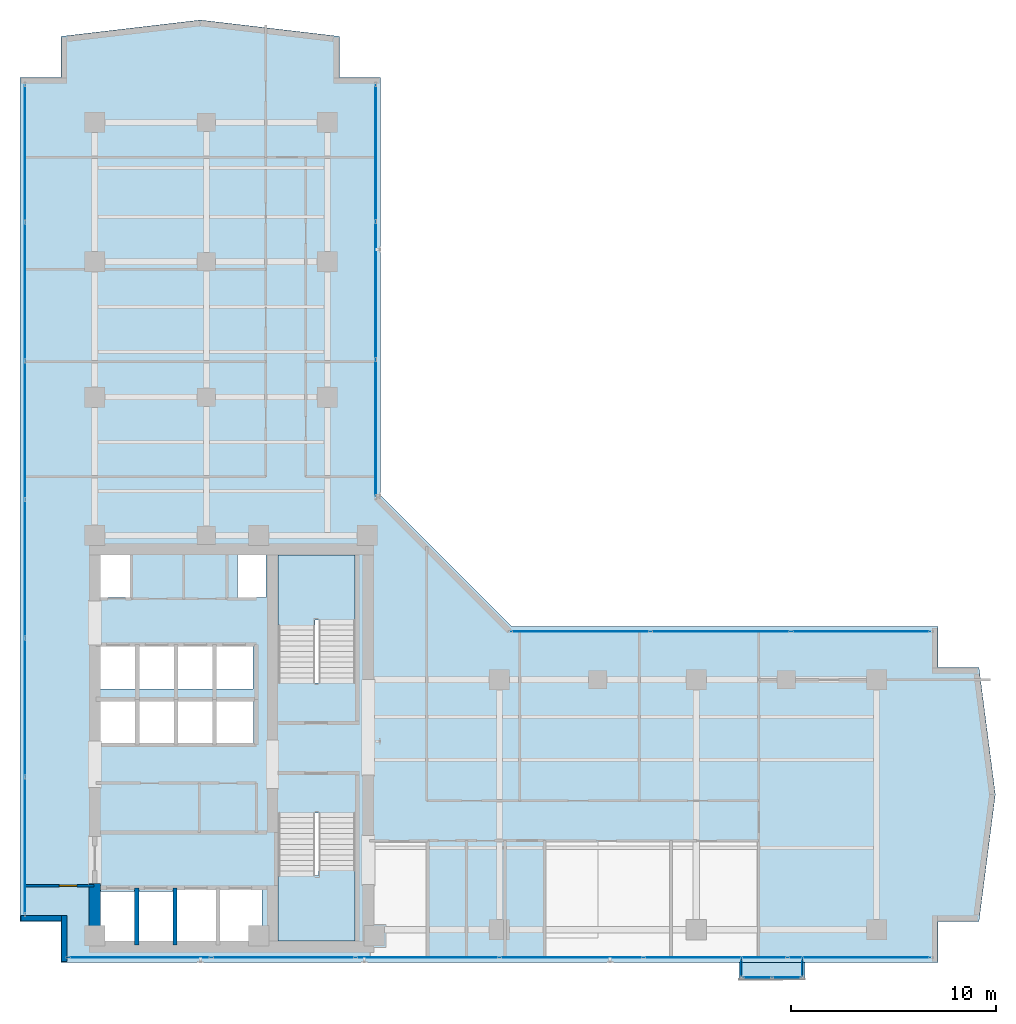
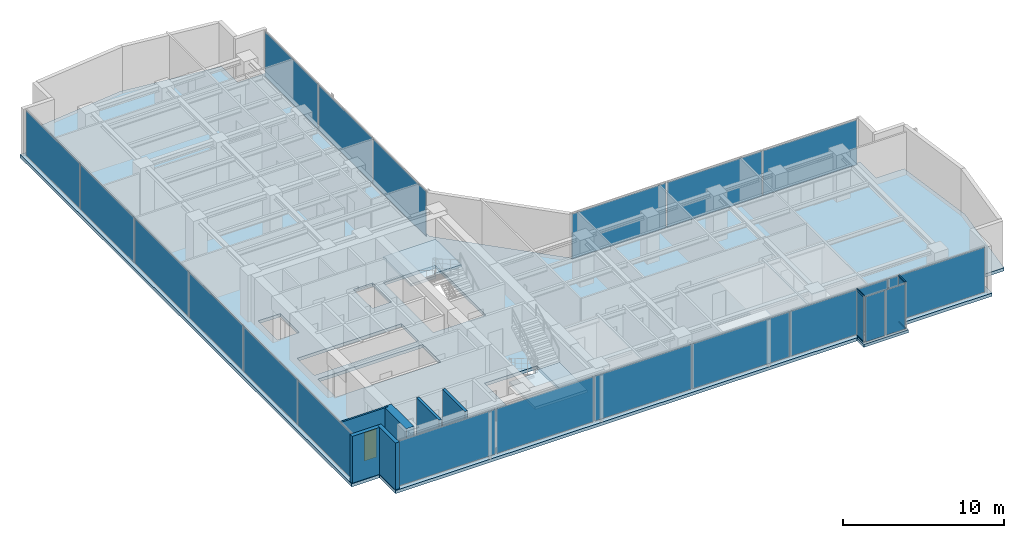
# One storey, part 15 of 23: 22 plates, 6 walls, 4 members, 4 slabs, 1 door, 1 opening, 9 elements without a shape of their own.
"""IFC4 building model written with IfcOpenShell, lengths in metres."""

from ifc_helpers import new_model, si_unit, direction, frame, frame_2d, origin, origin_with_axes, origin_2d, place, context, subcontext, project, spatial, polyline, rectangle, hollow_rectangle, outline, extrude, source, transform, mapped, material, layer, layer_set, material_profile, profile_set, type_object, element, fill, aggregate, save


model = new_model("IFC4")

# Units and contexts
model_context = context("Model", 3, precision=1e-05, world=origin(), true_north=direction((0.0, 1.0)))
body_context = subcontext(model_context, "Body", "Model", "MODEL_VIEW")
ifc_project = project(units=[si_unit("LENGTHUNIT", "METRE"), si_unit("AREAUNIT", "SQUARE_METRE"), si_unit("VOLUMEUNIT", "CUBIC_METRE"), si_unit("PLANEANGLEUNIT", "RADIAN"), si_unit("MASSUNIT", "GRAM", prefix="KILO")], contexts=[model_context])

# Site, building, storey
site_placement = place(None, origin())
site = spatial("IfcSite", under=ifc_project, at=site_placement, CompositionType="ELEMENT")
building_placement = place(site_placement, origin())
building = spatial("IfcBuilding", under=site, at=building_placement, Name="Kolvaren Waterfront Exchange", CompositionType="ELEMENT")
storey_placement = place(building_placement, frame((0.0, 0.0, 227.300048828125)))
storey = spatial("IfcBuildingStorey", under=building, at=storey_placement, Name="L58", CompositionType="ELEMENT", Elevation=227.300048828125)

# Curtain wall, members
ifc_material_1 = material(Name="Anodised bronze aluminium 6063-T6", Category="aluminium")
ifc_layer_1 = layer(ifc_material_1, 0.219970703125, Name="Anodised bronze aluminium 6063-T6")
ifc_layer_set_1 = layer_set([ifc_layer_1], Name="Anodised bronze aluminium 6063-T6")
curtain_wall_type_1 = type_object("IfcCurtainWallType", Name="ARC-CW-SYS3", PredefinedType="USERDEFINED", material=ifc_layer_set_1)
curtain_wall_1_placement = place(storey_placement, origin())
curtain_wall_1 = element("IfcCurtainWall", 1, at=curtain_wall_1_placement, inside=storey, type_object=curtain_wall_type_1, Name="L58 stick curtain wall CW3 (CW-L58-BOX-W)", ObjectType="STICK CURTAIN WALL", PredefinedType="USERDEFINED")
ifc_material_profile = material_profile(ifc_material_1, hollow_rectangle(XDim=0.06494140625, YDim=0.1298828125, WallThickness=0.00390625, at=origin_2d()), Name="ALU-TRN-130x65x4")
ifc_profile_set = profile_set([ifc_material_profile], Name="Anodised bronze aluminium 6063-T6")
member_type = type_object("IfcMemberType", Name="ARC-CWT-130", PredefinedType="USERDEFINED", material=ifc_profile_set)
shared_shape_1 = source(origin_with_axes(), body_context, "Body", "SweptSolid", [
    extrude(hollow_rectangle(XDim=0.06494140625, YDim=0.1298828125, WallThickness=0.00390625, at=origin_2d()), origin(), (0.0, 0.0, 1.0), 0.829833984375),
])
member_1_placement = place(storey_placement, frame((39.010009765625, 3.764892578125, 0.032470703125), z_axis=(0.0, -1.0, 0.0), x_axis=(1.0, 0.0, 0.0)))
member_1 = element("IfcMember", 2, at=member_1_placement, type_object=member_type, Name="CW3 transom 1.1", ObjectType="TRANSOM", PredefinedType="USERDEFINED", context=body_context, shape_type="MappedRepresentation", body=[
    mapped(shared_shape_1, transform((0.0, 0.0, 0.0), x_axis=(1.0, 0.0, 0.0), y_axis=(0.0, 1.0, 0.0), z_axis=(0.0, 0.0, 1.0), scale=1.0)),
])
member_2_placement = place(storey_placement, frame((39.010009765625, 3.764892578125, 3.52734375), z_axis=(0.0, -1.0, 0.0), x_axis=(1.0, 0.0, 0.0)))
member_2 = element("IfcMember", 3, at=member_2_placement, type_object=member_type, Name="CW3 transom 1.2", ObjectType="TRANSOM", PredefinedType="USERDEFINED", context=body_context, shape_type="MappedRepresentation", body=[
    mapped(shared_shape_1, transform((0.0, 0.0, 0.0), x_axis=(1.0, 0.0, 0.0), y_axis=(0.0, 1.0, 0.0), z_axis=(0.0, 0.0, 1.0), scale=1.0)),
])

curtain_wall_2_placement = place(storey_placement, origin())
curtain_wall_2 = element("IfcCurtainWall", 4, at=curtain_wall_2_placement, inside=storey, type_object=curtain_wall_type_1, Name="L58 stick curtain wall CW3 (CW-L58-BOX-E)", ObjectType="STICK CURTAIN WALL", PredefinedType="USERDEFINED")
member_3_placement = place(storey_placement, frame((41.989990234375, 2.93505859375, 0.032470703125), z_axis=(0.0, 1.0, 0.0), x_axis=(-1.0, 0.0, 0.0)))
member_3 = element("IfcMember", 5, at=member_3_placement, type_object=member_type, Name="CW3 transom 1.1", ObjectType="TRANSOM", PredefinedType="USERDEFINED", context=body_context, shape_type="MappedRepresentation", body=[
    mapped(shared_shape_1, transform((0.0, 0.0, 0.0), x_axis=(1.0, 0.0, 0.0), y_axis=(0.0, 1.0, 0.0), z_axis=(0.0, 0.0, 1.0), scale=1.0)),
])
member_4_placement = place(storey_placement, frame((41.989990234375, 2.93505859375, 3.52734375), z_axis=(0.0, 1.0, 0.0), x_axis=(-1.0, 0.0, 0.0)))
member_4 = element("IfcMember", 6, at=member_4_placement, type_object=member_type, Name="CW3 transom 1.2", ObjectType="TRANSOM", PredefinedType="USERDEFINED", context=body_context, shape_type="MappedRepresentation", body=[
    mapped(shared_shape_1, transform((0.0, 0.0, 0.0), x_axis=(1.0, 0.0, 0.0), y_axis=(0.0, 1.0, 0.0), z_axis=(0.0, 0.0, 1.0), scale=1.0)),
])

# Stair, slab
ifc_material_2 = material(Name="Concrete C40/50", Category="concrete")
stair_type = type_object("IfcStairType", Name="ARC-STAIR-3800", PredefinedType="HALF_TURN_STAIR", material=ifc_material_2)
stair_1_placement = place(storey_placement, origin())
stair_1 = element("IfcStair", 7, at=stair_1_placement, inside=storey, type_object=stair_type, Name="L58 Smoke-proof exit stair ST1", PredefinedType="HALF_TURN_STAIR")
ifc_layer_2 = layer(ifc_material_2, 0.199951171875, Name="Concrete C40/50")
ifc_layer_set_2 = layer_set([ifc_layer_2], Name="Concrete C40/50")
slab_type_1 = type_object("IfcSlabType", Name="STR-LANDING-200", PredefinedType="LANDING", material=ifc_layer_set_2)
slab_1_placement = place(storey_placement, frame((0.0, 0.0, 1.77587890625)))
slab_1 = element("IfcSlab", 8, at=slab_1_placement, type_object=slab_type_1, Name="ST1 landing 1", PredefinedType="LANDING", context=body_context, shape_type="SweptSolid", body=[
    extrude(outline(polyline([(16.39990234375, 7.840087890625), (16.39990234375, 4.64990234375), (20.159912109375, 4.64990234375), (20.159912109375, 8.10009765625), (18.360107421875, 8.10009765625), (18.360107421875, 7.840087890625), (16.39990234375, 7.840087890625)])), origin(), (0.0, 0.0, 1.0), 0.199951171875),
])
aggregate(stair_1, [slab_1])

stair_2_placement = place(storey_placement, origin())
stair_2 = element("IfcStair", 9, at=stair_2_placement, inside=storey, type_object=stair_type, Name="L58 Smoke-proof exit stair ST2", PredefinedType="HALF_TURN_STAIR")
slab_2_placement = place(storey_placement, frame((0.0, 0.0, 1.77587890625)))
slab_2 = element("IfcSlab", 10, at=slab_2_placement, type_object=slab_type_1, Name="ST2 landing 1", PredefinedType="LANDING", context=body_context, shape_type="SweptSolid", body=[
    extrude(outline(polyline([(20.159912109375, 20.31005859375), (20.159912109375, 23.5), (16.39990234375, 23.5), (16.39990234375, 20.050048828125), (18.199951171875, 20.050048828125), (18.199951171875, 20.31005859375), (20.159912109375, 20.31005859375)])), origin(), (0.0, 0.0, 1.0), 0.199951171875),
])
aggregate(stair_2, [slab_2])

# Slabs
ifc_layer_3 = layer(ifc_material_2, 0.239990234375, Name="Concrete C40/50")
ifc_layer_set_3 = layer_set([ifc_layer_3], Name="Concrete C40/50")
slab_type_2 = type_object("IfcSlabType", Name="STR-SLAB-240", PredefinedType="FLOOR", material=ifc_layer_set_3)
slab_3_placement = place(storey_placement, frame((0.0, 0.0, -0.239990234375)))
element("IfcSlab", 11, at=slab_3_placement, inside=storey, type_object=slab_type_2, Name="L58 structural floor slab", PredefinedType="FLOOR", context=body_context, shape_type="SweptSolid", body=[
    extrude(outline(polyline([(5.800048828125, 3.60009765625), (48.60009765625, 3.60009765625), (48.60009765625, 5.60009765625), (50.60009765625, 5.60009765625), (51.39990234375, 11.800048828125), (50.60009765625, 18.0), (48.60009765625, 18.0), (48.60009765625, 20.0), (27.800048828125, 20.0), (21.39990234375, 26.39990234375), (21.39990234375, 46.800048828125), (19.39990234375, 46.800048828125), (19.39990234375, 48.800048828125), (12.60009765625, 49.60009765625), (5.800048828125, 48.800048828125), (5.800048828125, 46.800048828125), (3.800048828125, 46.800048828125), (3.800048828125, 5.60009765625), (5.800048828125, 5.60009765625), (5.800048828125, 3.60009765625)]), holes=[polyline([(11.320068359375, 7.260009765625), (15.610107421875, 7.260009765625), (15.610107421875, 4.5400390625), (7.719970703125, 4.5400390625), (7.719970703125, 7.06005859375), (11.320068359375, 7.06005859375), (11.320068359375, 7.260009765625)]), polyline([(20.159912109375, 10.89990234375), (20.159912109375, 4.64990234375), (16.39990234375, 4.64990234375), (16.39990234375, 10.89990234375), (20.159912109375, 10.89990234375)]), polyline([(15.18505859375, 14.239990234375), (7.64501953125, 14.239990234375), (7.64501953125, 16.4599609375), (15.18505859375, 16.4599609375), (15.18505859375, 14.239990234375)]), polyline([(15.159912109375, 16.93994140625), (7.669921875, 16.93994140625), (7.669921875, 19.06005859375), (15.159912109375, 19.06005859375), (15.159912109375, 16.93994140625)]), polyline([(16.39990234375, 17.25), (16.39990234375, 23.5), (20.159912109375, 23.5), (20.159912109375, 17.25), (16.39990234375, 17.25)]), polyline([(7.60009765625, 23.780029296875), (9.179931640625, 23.780029296875), (9.179931640625, 21.419921875), (7.60009765625, 21.419921875), (7.60009765625, 23.780029296875)]), polyline([(14.419921875, 23.780029296875), (15.800048828125, 23.780029296875), (15.800048828125, 21.419921875), (14.419921875, 21.419921875), (14.419921875, 23.780029296875)])]), origin(), (0.0, 0.0, 1.0), 0.239990234375),
])
ifc_layer_4 = layer(ifc_material_2, 0.219970703125, Name="Concrete C40/50")
ifc_layer_set_4 = layer_set([ifc_layer_4], Name="Concrete C40/50")
slab_type_3 = type_object("IfcSlabType", Name="STR-TERR-220", PredefinedType="FLOOR", material=ifc_layer_set_4)
slab_4_placement = place(storey_placement, frame((0.0, 0.0, -0.219970703125)))
element("IfcSlab", 12, at=slab_4_placement, inside=storey, type_object=slab_type_3, Name="L58 projecting bay-box floor strip", PredefinedType="FLOOR", context=body_context, shape_type="SweptSolid", body=[
    extrude(outline(polyline([(38.89990234375, 2.75), (42.10009765625, 2.75), (42.10009765625, 3.60009765625), (38.89990234375, 3.60009765625), (38.89990234375, 2.75)])), origin(), (0.0, 0.0, 1.0), 0.219970703125),
])

# Plate
ifc_material_3 = material(Name="Bronze tinted bay-box vision glass", Category="aluminium")
ifc_layer_5 = layer(ifc_material_3, 0.02392578125, Name="Bronze tinted bay-box vision glass")
ifc_layer_set_5 = layer_set([ifc_layer_5], Name="Bronze tinted bay-box vision glass")
plate_type_1 = type_object("IfcPlateType", Name="ARC-CWP-24", PredefinedType="CURTAIN_PANEL", material=ifc_layer_set_5)
shared_shape_2 = source(origin_with_axes(), body_context, "Body", "SweptSolid", [
    extrude(rectangle(XDim=0.830078125, YDim=0.02392578125, at=origin_2d()), origin(), (0.0, 0.0, 1.0), 3.429931640625),
])
plate_1_placement = place(storey_placement, frame((39.010009765625, 3.35009765625, 0.06494140625), z_axis=(0.0, 0.0, 1.0), x_axis=(0.0, -1.0, 0.0)))
plate_1 = element("IfcPlate", 13, at=plate_1_placement, type_object=plate_type_1, Name="CW3 panel 1.1", PredefinedType="CURTAIN_PANEL", context=body_context, shape_type="MappedRepresentation", body=[
    mapped(shared_shape_2, transform((0.0, 0.0, 0.0), x_axis=(1.0, 0.0, 0.0), y_axis=(0.0, 1.0, 0.0), z_axis=(0.0, 0.0, 1.0), scale=1.0)),
])

aggregate(curtain_wall_1, [member_1, member_2, plate_1])

plate_2_placement = place(storey_placement, frame((41.989990234375, 3.35009765625, 0.06494140625), z_axis=(0.0, 0.0, 1.0), x_axis=(0.0, 1.0, 0.0)))
plate_2 = element("IfcPlate", 14, at=plate_2_placement, type_object=plate_type_1, Name="CW3 panel 1.1", PredefinedType="CURTAIN_PANEL", context=body_context, shape_type="MappedRepresentation", body=[
    mapped(shared_shape_2, transform((0.0, 0.0, 0.0), x_axis=(1.0, 0.0, 0.0), y_axis=(0.0, 1.0, 0.0), z_axis=(0.0, 0.0, 1.0), scale=1.0)),
])

aggregate(curtain_wall_2, [member_3, member_4, plate_2])

# Curtain wall, plates
curtain_wall_3_placement = place(storey_placement, origin())
curtain_wall_3 = element("IfcCurtainWall", 15, at=curtain_wall_3_placement, inside=storey, type_object=curtain_wall_type_1, Name="L58 stick curtain wall CW3 (CW-L58-BOX)", ObjectType="STICK CURTAIN WALL", PredefinedType="USERDEFINED")
shared_shape_3 = source(origin_with_axes(), body_context, "Body", "SweptSolid", [
    extrude(rectangle(XDim=1.37744140625, YDim=0.02392578125, at=origin_2d()), origin(), (0.0, 0.0, 1.0), 3.429931640625),
])
plate_3_placement = place(storey_placement, frame((39.773681640625, 2.860107421875, 0.06494140625), z_axis=(0.0, 0.0, 1.0), x_axis=(1.0, 0.0, 0.0)))
plate_3 = element("IfcPlate", 16, at=plate_3_placement, type_object=plate_type_1, Name="CW3 panel 1.1", PredefinedType="CURTAIN_PANEL", context=body_context, shape_type="MappedRepresentation", body=[
    mapped(shared_shape_3, transform((0.0, 0.0, 0.0), x_axis=(1.0, 0.0, 0.0), y_axis=(0.0, 1.0, 0.0), z_axis=(0.0, 0.0, 1.0), scale=1.0)),
])
plate_4_placement = place(storey_placement, frame((41.226318359375, 2.860107421875, 0.06494140625), z_axis=(0.0, 0.0, 1.0), x_axis=(1.0, 0.0, 0.0)))
plate_4 = element("IfcPlate", 17, at=plate_4_placement, type_object=plate_type_1, Name="CW3 panel 2.1", PredefinedType="CURTAIN_PANEL", context=body_context, shape_type="MappedRepresentation", body=[
    mapped(shared_shape_3, transform((0.0, 0.0, 0.0), x_axis=(1.0, 0.0, 0.0), y_axis=(0.0, 1.0, 0.0), z_axis=(0.0, 0.0, 1.0), scale=1.0)),
])
aggregate(curtain_wall_3, [plate_3, plate_4])

ifc_material_4 = material(Name="Anodised aluminium 6063-T6", Category="aluminium")
ifc_layer_6 = layer(ifc_material_4, 0.219970703125, Name="Anodised aluminium 6063-T6")
ifc_layer_set_6 = layer_set([ifc_layer_6], Name="Anodised aluminium 6063-T6")
curtain_wall_type_2 = type_object("IfcCurtainWallType", Name="ARC-CW-SYS2", PredefinedType="USERDEFINED", material=ifc_layer_set_6)
curtain_wall_4_placement = place(storey_placement, origin())
curtain_wall_4 = element("IfcCurtainWall", 18, at=curtain_wall_4_placement, inside=storey, type_object=curtain_wall_type_2, Name="L58 stick curtain wall CW2 (CW-L58-W)", ObjectType="STICK CURTAIN WALL", PredefinedType="USERDEFINED")
ifc_material_5 = material(Name="Acoustic laminated vision glass", Category="glass")
ifc_layer_7 = layer(ifc_material_5, 0.031982421875, Name="Acoustic laminated vision glass")
ifc_layer_set_7 = layer_set([ifc_layer_7], Name="Acoustic laminated vision glass")
plate_type_2 = type_object("IfcPlateType", Name="ARC-CWP-32", PredefinedType="CURTAIN_PANEL", material=ifc_layer_set_7)
shared_shape_4 = source(origin_with_axes(), body_context, "Body", "SweptSolid", [
    extrude(rectangle(XDim=6.646728515625, YDim=0.031982421875, at=origin_2d()), origin(), (0.0, 0.0, 1.0), 3.409912109375),
])
plate_5_placement = place(storey_placement, frame((4.0400390625, 9.30322265625, 0.0751953125), z_axis=(0.0, 0.0, 1.0), x_axis=(0.0, 1.0, 0.0)))
plate_5 = element("IfcPlate", 19, at=plate_5_placement, type_object=plate_type_2, Name="CW2 panel 1.1", PredefinedType="CURTAIN_PANEL", context=body_context, shape_type="MappedRepresentation", body=[
    mapped(shared_shape_4, transform((0.0, 0.0, 0.0), x_axis=(1.0, 0.0, 0.0), y_axis=(0.0, 1.0, 0.0), z_axis=(0.0, 0.0, 1.0), scale=1.0)),
])
plate_6_placement = place(storey_placement, frame((4.0400390625, 43.0966796875, 0.0751953125), z_axis=(0.0, 0.0, 1.0), x_axis=(0.0, 1.0, 0.0)))
plate_6 = element("IfcPlate", 20, at=plate_6_placement, type_object=plate_type_2, Name="CW2 panel 6.1", PredefinedType="CURTAIN_PANEL", context=body_context, shape_type="MappedRepresentation", body=[
    mapped(shared_shape_4, transform((0.0, 0.0, 0.0), x_axis=(1.0, 0.0, 0.0), y_axis=(0.0, 1.0, 0.0), z_axis=(0.0, 0.0, 1.0), scale=1.0)),
])
shared_shape_5 = source(origin_with_axes(), body_context, "Body", "SweptSolid", [
    extrude(rectangle(XDim=6.686767578125, YDim=0.031982421875, at=origin_2d()), origin(), (0.0, 0.0, 1.0), 3.409912109375),
])
plate_7_placement = place(storey_placement, frame((4.0400390625, 16.050048828125, 0.0751953125), z_axis=(0.0, 0.0, 1.0), x_axis=(0.0, 1.0, 0.0)))
plate_7 = element("IfcPlate", 21, at=plate_7_placement, type_object=plate_type_2, Name="CW2 panel 2.1", PredefinedType="CURTAIN_PANEL", context=body_context, shape_type="MappedRepresentation", body=[
    mapped(shared_shape_5, transform((0.0, 0.0, 0.0), x_axis=(1.0, 0.0, 0.0), y_axis=(0.0, 1.0, 0.0), z_axis=(0.0, 0.0, 1.0), scale=1.0)),
])
plate_8_placement = place(storey_placement, frame((4.0400390625, 22.816650390625, 0.0751953125), z_axis=(0.0, 0.0, 1.0), x_axis=(0.0, 1.0, 0.0)))
plate_8 = element("IfcPlate", 22, at=plate_8_placement, type_object=plate_type_2, Name="CW2 panel 3.1", PredefinedType="CURTAIN_PANEL", context=body_context, shape_type="MappedRepresentation", body=[
    mapped(shared_shape_5, transform((0.0, 0.0, 0.0), x_axis=(1.0, 0.0, 0.0), y_axis=(0.0, 1.0, 0.0), z_axis=(0.0, 0.0, 1.0), scale=1.0)),
])
plate_9_placement = place(storey_placement, frame((4.0400390625, 29.583251953125, 0.0751953125), z_axis=(0.0, 0.0, 1.0), x_axis=(0.0, 1.0, 0.0)))
plate_9 = element("IfcPlate", 23, at=plate_9_placement, type_object=plate_type_2, Name="CW2 panel 4.1", PredefinedType="CURTAIN_PANEL", context=body_context, shape_type="MappedRepresentation", body=[
    mapped(shared_shape_5, transform((0.0, 0.0, 0.0), x_axis=(1.0, 0.0, 0.0), y_axis=(0.0, 1.0, 0.0), z_axis=(0.0, 0.0, 1.0), scale=1.0)),
])
plate_10_placement = place(storey_placement, frame((4.0400390625, 36.35009765625, 0.0751953125), z_axis=(0.0, 0.0, 1.0), x_axis=(0.0, 1.0, 0.0)))
plate_10 = element("IfcPlate", 24, at=plate_10_placement, type_object=plate_type_2, Name="CW2 panel 5.1", PredefinedType="CURTAIN_PANEL", context=body_context, shape_type="MappedRepresentation", body=[
    mapped(shared_shape_5, transform((0.0, 0.0, 0.0), x_axis=(1.0, 0.0, 0.0), y_axis=(0.0, 1.0, 0.0), z_axis=(0.0, 0.0, 1.0), scale=1.0)),
])
aggregate(curtain_wall_4, [plate_5, plate_7, plate_8, plate_9, plate_10, plate_6])

ifc_layer_8 = layer(ifc_material_1, 0.219970703125, Name="Anodised bronze aluminium 6063-T6")
ifc_layer_set_8 = layer_set([ifc_layer_8], Name="Anodised bronze aluminium 6063-T6")
curtain_wall_type_3 = type_object("IfcCurtainWallType", Name="ARC-CW-SYS1", PredefinedType="USERDEFINED", material=ifc_layer_set_8)
curtain_wall_5_placement = place(storey_placement, origin())
curtain_wall_5 = element("IfcCurtainWall", 25, at=curtain_wall_5_placement, inside=storey, type_object=curtain_wall_type_3, Name="L58 stick curtain wall CW1 (CW-L58-S)", ObjectType="STICK CURTAIN WALL", PredefinedType="USERDEFINED")
ifc_material_6 = material(Name="Bronze solar control vision glass", Category="aluminium")
ifc_layer_9 = layer(ifc_material_6, 0.028076171875, Name="Bronze solar control vision glass")
ifc_layer_set_9 = layer_set([ifc_layer_9], Name="Bronze solar control vision glass")
plate_type_3 = type_object("IfcPlateType", Name="ARC-CWP-28", PredefinedType="CURTAIN_PANEL", material=ifc_layer_set_9)
shared_shape_6 = source(origin_with_axes(), body_context, "Body", "SweptSolid", [
    extrude(rectangle(XDim=6.913330078125, YDim=0.028076171875, at=origin_2d()), origin(), (0.0, 0.0, 1.0), 3.409912109375),
])
plate_11_placement = place(storey_placement, frame((9.63671875, 3.840087890625, 0.0751953125), z_axis=(0.0, 0.0, 1.0), x_axis=(1.0, 0.0, 0.0)))
plate_11 = element("IfcPlate", 26, at=plate_11_placement, type_object=plate_type_3, Name="CW1 panel 1.1", PredefinedType="CURTAIN_PANEL", context=body_context, shape_type="MappedRepresentation", body=[
    mapped(shared_shape_6, transform((0.0, 0.0, 0.0), x_axis=(1.0, 0.0, 0.0), y_axis=(0.0, 1.0, 0.0), z_axis=(0.0, 0.0, 1.0), scale=1.0)),
])
plate_12_placement = place(storey_placement, frame((44.763427734375, 3.840087890625, 0.0751953125), z_axis=(0.0, 0.0, 1.0), x_axis=(1.0, 0.0, 0.0)))
plate_12 = element("IfcPlate", 27, at=plate_12_placement, type_object=plate_type_3, Name="CW1 panel 6.1", PredefinedType="CURTAIN_PANEL", context=body_context, shape_type="MappedRepresentation", body=[
    mapped(shared_shape_6, transform((0.0, 0.0, 0.0), x_axis=(1.0, 0.0, 0.0), y_axis=(0.0, 1.0, 0.0), z_axis=(0.0, 0.0, 1.0), scale=1.0)),
])
shared_shape_7 = source(origin_with_axes(), body_context, "Body", "SweptSolid", [
    extrude(rectangle(XDim=6.953369140625, YDim=0.028076171875, at=origin_2d()), origin(), (0.0, 0.0, 1.0), 3.409912109375),
])
plate_13_placement = place(storey_placement, frame((16.64990234375, 3.840087890625, 0.0751953125), z_axis=(0.0, 0.0, 1.0), x_axis=(1.0, 0.0, 0.0)))
plate_13 = element("IfcPlate", 28, at=plate_13_placement, type_object=plate_type_3, Name="CW1 panel 2.1", PredefinedType="CURTAIN_PANEL", context=body_context, shape_type="MappedRepresentation", body=[
    mapped(shared_shape_7, transform((0.0, 0.0, 0.0), x_axis=(1.0, 0.0, 0.0), y_axis=(0.0, 1.0, 0.0), z_axis=(0.0, 0.0, 1.0), scale=1.0)),
])
plate_14_placement = place(storey_placement, frame((23.683349609375, 3.840087890625, 0.0751953125), z_axis=(0.0, 0.0, 1.0), x_axis=(1.0, 0.0, 0.0)))
plate_14 = element("IfcPlate", 29, at=plate_14_placement, type_object=plate_type_3, Name="CW1 panel 3.1", PredefinedType="CURTAIN_PANEL", context=body_context, shape_type="MappedRepresentation", body=[
    mapped(shared_shape_7, transform((0.0, 0.0, 0.0), x_axis=(1.0, 0.0, 0.0), y_axis=(0.0, 1.0, 0.0), z_axis=(0.0, 0.0, 1.0), scale=1.0)),
])
plate_15_placement = place(storey_placement, frame((30.716552734375, 3.840087890625, 0.0751953125), z_axis=(0.0, 0.0, 1.0), x_axis=(1.0, 0.0, 0.0)))
plate_15 = element("IfcPlate", 30, at=plate_15_placement, type_object=plate_type_3, Name="CW1 panel 4.1", PredefinedType="CURTAIN_PANEL", context=body_context, shape_type="MappedRepresentation", body=[
    mapped(shared_shape_7, transform((0.0, 0.0, 0.0), x_axis=(1.0, 0.0, 0.0), y_axis=(0.0, 1.0, 0.0), z_axis=(0.0, 0.0, 1.0), scale=1.0)),
])
plate_16_placement = place(storey_placement, frame((37.75, 3.840087890625, 0.0751953125), z_axis=(0.0, 0.0, 1.0), x_axis=(1.0, 0.0, 0.0)))
plate_16 = element("IfcPlate", 31, at=plate_16_placement, type_object=plate_type_3, Name="CW1 panel 5.1", PredefinedType="CURTAIN_PANEL", context=body_context, shape_type="MappedRepresentation", body=[
    mapped(shared_shape_7, transform((0.0, 0.0, 0.0), x_axis=(1.0, 0.0, 0.0), y_axis=(0.0, 1.0, 0.0), z_axis=(0.0, 0.0, 1.0), scale=1.0)),
])
aggregate(curtain_wall_5, [plate_11, plate_13, plate_14, plate_15, plate_16, plate_12])

curtain_wall_6_placement = place(storey_placement, origin())
curtain_wall_6 = element("IfcCurtainWall", 32, at=curtain_wall_6_placement, inside=storey, type_object=curtain_wall_type_3, Name="L58 stick curtain wall CW1 (CW-L58-NE)", ObjectType="STICK CURTAIN WALL", PredefinedType="USERDEFINED")
shared_shape_8 = source(origin_with_axes(), body_context, "Body", "SweptSolid", [
    extrude(rectangle(XDim=6.61669921875, YDim=0.028076171875, at=origin_2d()), origin(), (0.0, 0.0, 1.0), 3.409912109375),
])
plate_17_placement = place(storey_placement, frame((21.159912109375, 29.67822265625, 0.0751953125), z_axis=(0.0, 0.0, 1.0), x_axis=(0.0, 1.0, 0.0)))
plate_17 = element("IfcPlate", 33, at=plate_17_placement, type_object=plate_type_3, Name="CW1 panel 1.1", PredefinedType="CURTAIN_PANEL", context=body_context, shape_type="MappedRepresentation", body=[
    mapped(shared_shape_8, transform((0.0, 0.0, 0.0), x_axis=(1.0, 0.0, 0.0), y_axis=(0.0, 1.0, 0.0), z_axis=(0.0, 0.0, 1.0), scale=1.0)),
])
plate_18_placement = place(storey_placement, frame((21.159912109375, 43.111572265625, 0.0751953125), z_axis=(0.0, 0.0, 1.0), x_axis=(0.0, 1.0, 0.0)))
plate_18 = element("IfcPlate", 34, at=plate_18_placement, type_object=plate_type_3, Name="CW1 panel 3.1", PredefinedType="CURTAIN_PANEL", context=body_context, shape_type="MappedRepresentation", body=[
    mapped(shared_shape_8, transform((0.0, 0.0, 0.0), x_axis=(1.0, 0.0, 0.0), y_axis=(0.0, 1.0, 0.0), z_axis=(0.0, 0.0, 1.0), scale=1.0)),
])
shared_shape_9 = source(origin_with_axes(), body_context, "Body", "SweptSolid", [
    extrude(rectangle(XDim=6.65673828125, YDim=0.028076171875, at=origin_2d()), origin(), (0.0, 0.0, 1.0), 3.409912109375),
])
plate_19_placement = place(storey_placement, frame((21.159912109375, 36.39501953125, 0.0751953125), z_axis=(0.0, 0.0, 1.0), x_axis=(0.0, 1.0, 0.0)))
plate_19 = element("IfcPlate", 35, at=plate_19_placement, type_object=plate_type_3, Name="CW1 panel 2.1", PredefinedType="CURTAIN_PANEL", context=body_context, shape_type="MappedRepresentation", body=[
    mapped(shared_shape_9, transform((0.0, 0.0, 0.0), x_axis=(1.0, 0.0, 0.0), y_axis=(0.0, 1.0, 0.0), z_axis=(0.0, 0.0, 1.0), scale=1.0)),
])
aggregate(curtain_wall_6, [plate_17, plate_19, plate_18])

curtain_wall_7_placement = place(storey_placement, origin())
curtain_wall_7 = element("IfcCurtainWall", 36, at=curtain_wall_7_placement, inside=storey, type_object=curtain_wall_type_3, Name="L58 stick curtain wall CW1 (CW-L58-EN)", ObjectType="STICK CURTAIN WALL", PredefinedType="USERDEFINED")
shared_shape_10 = source(origin_with_axes(), body_context, "Body", "SweptSolid", [
    extrude(rectangle(XDim=6.75, YDim=0.028076171875, at=origin_2d()), origin(), (0.0, 0.0, 1.0), 3.409912109375),
])
plate_20_placement = place(storey_placement, frame((31.14501953125, 19.760009765625, 0.0751953125), z_axis=(0.0, 0.0, 1.0), x_axis=(1.0, 0.0, 0.0)))
plate_20 = element("IfcPlate", 37, at=plate_20_placement, type_object=plate_type_3, Name="CW1 panel 1.1", PredefinedType="CURTAIN_PANEL", context=body_context, shape_type="MappedRepresentation", body=[
    mapped(shared_shape_10, transform((0.0, 0.0, 0.0), x_axis=(1.0, 0.0, 0.0), y_axis=(0.0, 1.0, 0.0), z_axis=(0.0, 0.0, 1.0), scale=1.0)),
])
plate_21_placement = place(storey_placement, frame((44.844970703125, 19.760009765625, 0.0751953125), z_axis=(0.0, 0.0, 1.0), x_axis=(1.0, 0.0, 0.0)))
plate_21 = element("IfcPlate", 38, at=plate_21_placement, type_object=plate_type_3, Name="CW1 panel 3.1", PredefinedType="CURTAIN_PANEL", context=body_context, shape_type="MappedRepresentation", body=[
    mapped(shared_shape_10, transform((0.0, 0.0, 0.0), x_axis=(1.0, 0.0, 0.0), y_axis=(0.0, 1.0, 0.0), z_axis=(0.0, 0.0, 1.0), scale=1.0)),
])
shared_shape_11 = source(origin_with_axes(), body_context, "Body", "SweptSolid", [
    extrude(rectangle(XDim=6.7900390625, YDim=0.028076171875, at=origin_2d()), origin(), (0.0, 0.0, 1.0), 3.409912109375),
])
plate_22_placement = place(storey_placement, frame((37.9951171875, 19.760009765625, 0.0751953125), z_axis=(0.0, 0.0, 1.0), x_axis=(1.0, 0.0, 0.0)))
plate_22 = element("IfcPlate", 39, at=plate_22_placement, type_object=plate_type_3, Name="CW1 panel 2.1", PredefinedType="CURTAIN_PANEL", context=body_context, shape_type="MappedRepresentation", body=[
    mapped(shared_shape_11, transform((0.0, 0.0, 0.0), x_axis=(1.0, 0.0, 0.0), y_axis=(0.0, 1.0, 0.0), z_axis=(0.0, 0.0, 1.0), scale=1.0)),
])
aggregate(curtain_wall_7, [plate_20, plate_22, plate_21])

# Walls
ifc_material_7 = material(Name="Precast concrete C40/50", Category="concrete")
ifc_layer_10 = layer(ifc_material_7, 0.280029296875, Name="Precast concrete C40/50")
ifc_layer_set_10 = layer_set([ifc_layer_10], Name="Precast concrete C40/50")
wall_type_1 = type_object("IfcWallType", Name="ARC-EXT-TERR-280", PredefinedType="SOLIDWALL", material=ifc_layer_set_10)
wall_1_placement = place(storey_placement, frame((5.9599609375, 3.659912109375, 0.0), z_axis=(0.0, 0.0, 1.0), x_axis=(0.0, 1.0, 0.0)))
element("IfcWall", 40, at=wall_1_placement, inside=storey, type_object=wall_type_1, Name="L58 notched corner spandrel pier SW-A", PredefinedType="SOLIDWALL", context=body_context, shape_type="SweptSolid", body=[
    extrude(rectangle(XDim=2.239990234375, YDim=0.280029296875, at=frame_2d((1.1201171875, 0.0))), origin(), (0.0, 0.0, 1.0), 3.56005859375),
])
wall_2_placement = place(storey_placement, frame((3.860107421875, 5.760009765625, 0.0), z_axis=(0.0, 0.0, 1.0), x_axis=(1.0, 0.0, 0.0)))
element("IfcWall", 41, at=wall_2_placement, inside=storey, type_object=wall_type_1, Name="L58 notched corner spandrel pier SW-B", PredefinedType="SOLIDWALL", context=body_context, shape_type="SweptSolid", body=[
    extrude(rectangle(XDim=1.9599609375, YDim=0.280029296875, at=frame_2d((0.97998046875, 0.0))), origin(), (0.0, 0.0, 1.0), 3.56005859375),
])

# Wall, opening, door
ifc_material_8 = material(Name="Acoustic gypsum steel stud", Category="steel")
ifc_layer_11 = layer(ifc_material_8, 0.125, Name="Acoustic gypsum steel stud")
ifc_layer_set_11 = layer_set([ifc_layer_11], Name="Acoustic gypsum steel stud")
wall_type_2 = type_object("IfcWallType", Name="ARC-PART-125", PredefinedType="PARTITIONING", material=ifc_layer_set_11)
wall_3_placement = place(storey_placement, frame((4.0400390625, 7.35009765625, 0.0), z_axis=(0.0, 0.0, 1.0), x_axis=(1.0, 0.0, 0.0)))
wall_3 = element("IfcWall", 42, at=wall_3_placement, inside=storey, type_object=wall_type_2, Name="L58 interior wall PW-L58-SWC-N", PredefinedType="PARTITIONING", context=body_context, shape_type="SweptSolid", body=[
    extrude(rectangle(XDim=3.35986328125, YDim=0.125, at=frame_2d((1.679931640625, 0.0))), origin(), (0.0, 0.0, 1.0), 3.56005859375),
])
opening_placement = place(wall_3_placement, frame((1.686767578125, 0.0, 0.0)))
opening = element("IfcOpeningElement", 43, at=opening_placement, cuts=wall_3, Name="Opening D01", PredefinedType="OPENING", context=body_context, shape_type="SweptSolid", body=[
    extrude(rectangle(XDim=0.85009765625, YDim=2.14990234375, at=frame_2d((0.425048828125, 1.074951171875))), frame((0.0, 0.072509765625, 0.0), z_axis=(0.0, -1.0, 0.0), x_axis=(1.0, 0.0, 0.0)), (0.0, 0.0, 1.0), 0.14501953125),
])
ifc_material_9 = material(Name="Oak veneer timber leaf", Category="wood")
door_type = type_object("IfcDoorType", Name="ARC-DR-900", OperationType="NOTDEFINED", PredefinedType="DOOR", material=ifc_material_9)
door_placement = place(opening_placement, origin())
door = element("IfcDoor", 44, at=door_placement, inside=storey, type_object=door_type, Name="L58 door DR-L58-SWC-D (D01)", OperationType="SINGLE_SWING_LEFT", OverallHeight=2.14990234375, OverallWidth=0.85009765625, PredefinedType="DOOR", context=body_context, shape_type="SweptSolid", body=[
    extrude(rectangle(XDim=0.85009765625, YDim=2.14990234375, at=frame_2d((0.425048828125, 1.074951171875))), frame((0.0, 0.02490234375, 0.0), z_axis=(0.0, -1.0, 0.0), x_axis=(1.0, 0.0, 0.0)), (0.0, 0.0, 1.0), 0.050048828125),
])
fill(opening, door)

# Walls
ifc_layer_12 = layer(ifc_material_2, 0.199951171875, Name="Concrete C40/50")
ifc_layer_set_12 = layer_set([ifc_layer_12], Name="Concrete C40/50")
wall_type_3 = type_object("IfcWallType", Name="ARC-SHAFT-200", PredefinedType="PARTITIONING", material=ifc_layer_set_12)
for number, where, z_axis, x_axis, name in (
    (45, (9.5, 4.449951171875, 0.0), (0.0, 0.0, 1.0), (0.0, 1.0, 0.0), "L58 interior wall PW-L58-SH1-DIV-95"),
    (46, (11.360107421875, 4.449951171875, 0.0), (0.0, 0.0, 1.0), (0.0, 1.0, 0.0), "L58 interior wall PW-L58-SH1-DIV-113"),
):
    element("IfcWall", number, at=place(storey_placement, frame(where, z_axis=z_axis, x_axis=x_axis)), inside=storey, type_object=wall_type_3, Name=name, PredefinedType="PARTITIONING", context=body_context, shape_type="SweptSolid", body=[
        extrude(rectangle(XDim=2.800048828125, YDim=0.199951171875, at=frame_2d((1.39990234375, 0.0))), origin(), (0.0, 0.0, 1.0), 3.56005859375),
    ])
ifc_material_10 = material(Name="Concrete C50/60", Category="concrete")
ifc_layer_13 = layer(ifc_material_10, 0.550048828125, Name="Concrete C50/60")
ifc_layer_set_13 = layer_set([ifc_layer_13], Name="Concrete C50/60")
wall_type_4 = type_object("IfcWallType", Name="STR-CWALL-550", PredefinedType="SHEAR", material=ifc_layer_set_13)
wall_4_placement = place(storey_placement, frame((7.449951171875, 4.64990234375, 0.0), z_axis=(0.0, 0.0, 1.0), x_axis=(0.0, 1.0, 0.0)))
element("IfcWall", 47, at=wall_4_placement, inside=storey, type_object=wall_type_4, Name="L58 rear-core shear wall W1", PredefinedType="SHEAR", context=body_context, shape_type="SweptSolid", body=[
    extrude(rectangle(XDim=2.800048828125, YDim=0.550048828125, at=frame_2d((1.39990234375, 0.0))), origin(), (0.0, 0.0, 1.0), 3.56005859375),
])

save(model, "model.ifc")
